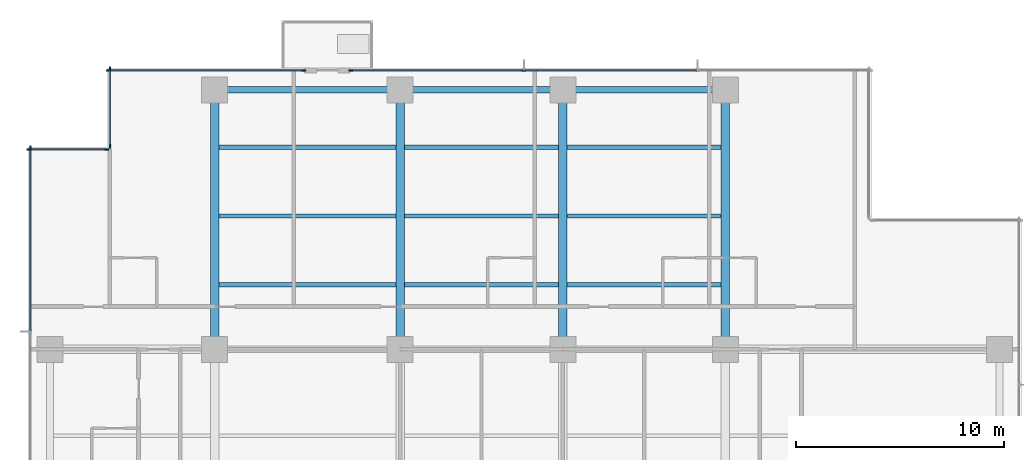
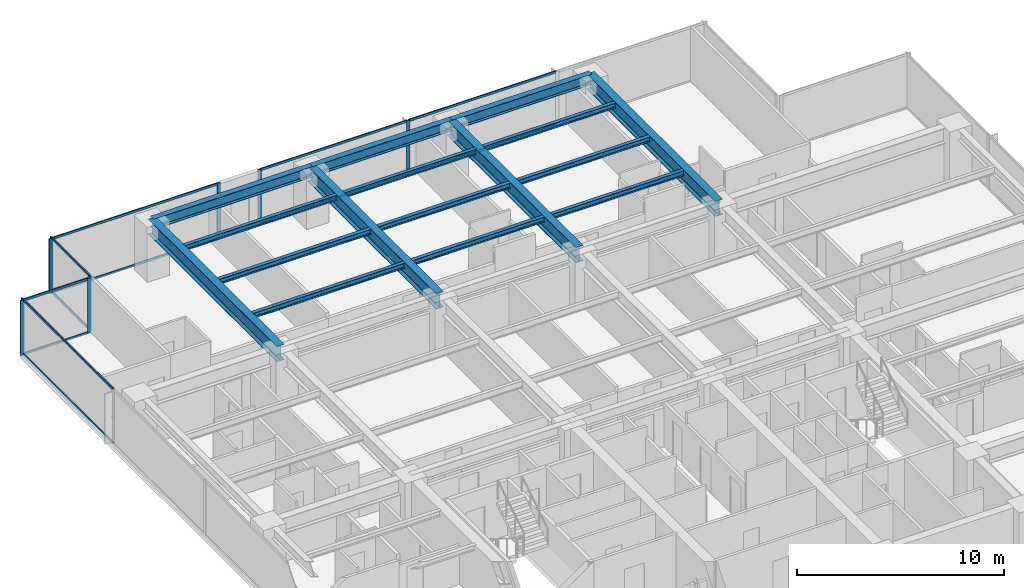
# One storey, part 5 of 17: 21 members, 16 beams, 5 elements without a shape of their own.
"""IFC4 building model written with IfcOpenShell, lengths in metres."""

from ifc_helpers import new_model, si_unit, direction, frame, origin, origin_2d, place, context, subcontext, project, spatial, rectangle, i_section, extrude, material, layer, layer_set, material_profile, profile_set, type_object, element, aggregate, save


model = new_model("IFC4")

# Units and contexts
model_context = context("Model", 3, precision=1e-05, world=origin(), true_north=direction((0.0, 1.0)))
body_context = subcontext(model_context, "Body", "Model", "MODEL_VIEW")
ifc_project = project(units=[si_unit("LENGTHUNIT", "METRE"), si_unit("AREAUNIT", "SQUARE_METRE"), si_unit("VOLUMEUNIT", "CUBIC_METRE"), si_unit("PLANEANGLEUNIT", "RADIAN"), si_unit("MASSUNIT", "GRAM", prefix="KILO")], contexts=[model_context])

# Site, building, storey
site_placement = place(None, origin())
site = spatial("IfcSite", under=ifc_project, at=site_placement, CompositionType="ELEMENT")
building_placement = place(site_placement, origin())
building = spatial("IfcBuilding", under=site, at=building_placement, Name="Qalmaran Belvedere Hotel", CompositionType="ELEMENT")
storey_placement = place(building_placement, frame((0.0, 0.0, 91.699951171875)))
storey = spatial("IfcBuildingStorey", under=building, at=storey_placement, Name="L22", CompositionType="ELEMENT", Elevation=91.699951171875)

# Beams
ifc_material_1 = material(Name="Steel S355JR", Category="steel")
ifc_material_profile_1 = material_profile(ifc_material_1, i_section(OverallWidth=0.202880859375, OverallDepth=0.302978515625, WebThickness=0.007568359375, FlangeThickness=0.01318359375, FilletRadius=0.012939453125, at=origin_2d()), Name="W310X60")
ifc_profile_set_1 = profile_set([ifc_material_profile_1], Name="Steel S355JR")
beam_type_1 = type_object("IfcBeamType", Name="BM-JST-W310X60", PredefinedType="JOIST", material=ifc_profile_set_1)
beam_1_placement = place(storey_placement, frame((20.507080078125, 36.10009765625, 3.088623046875), z_axis=(1.0, 0.0, 0.0), x_axis=(0.0, 1.0, 0.0)))
element("IfcBeam", 1, at=beam_1_placement, inside=storey, type_object=beam_type_1, Name="L22 North Floor Joist 042", PredefinedType="JOIST", context=body_context, shape_type="SweptSolid", body=[
    extrude(i_section(OverallWidth=0.202880859375, OverallDepth=0.302978515625, WebThickness=0.007568359375, FlangeThickness=0.01318359375, FilletRadius=0.012939453125, at=origin_2d()), origin(), (0.0, 0.0, 1.0), 8.48583984375),
])
for number, where, z_axis, x_axis, name in (
    (2, (29.406982421875, 36.10009765625, 3.088623046875), (1.0, 0.0, 0.0), (0.0, 1.0, 0.0), "L22 North Floor Joist 043"),
    (3, (37.20703125, 36.10009765625, 3.088623046875), (1.0, 0.0, 0.0), (0.0, 1.0, 0.0), "L22 North Floor Joist 044"),
):
    element("IfcBeam", number, at=place(storey_placement, frame(where, z_axis=z_axis, x_axis=x_axis)), inside=storey, type_object=beam_type_1, Name=name, PredefinedType="JOIST", context=body_context, shape_type="SweptSolid", body=[
        extrude(i_section(OverallWidth=0.202880859375, OverallDepth=0.302978515625, WebThickness=0.007568359375, FlangeThickness=0.01318359375, FilletRadius=0.012939453125, at=origin_2d()), origin(), (0.0, 0.0, 1.0), 7.385986328125),
    ])
beam_2_placement = place(storey_placement, frame((20.507080078125, 39.39990234375, 3.088623046875), z_axis=(1.0, 0.0, 0.0), x_axis=(0.0, 1.0, 0.0)))
element("IfcBeam", 4, at=beam_2_placement, inside=storey, type_object=beam_type_1, Name="L22 North Floor Joist 045", PredefinedType="JOIST", context=body_context, shape_type="SweptSolid", body=[
    extrude(i_section(OverallWidth=0.202880859375, OverallDepth=0.302978515625, WebThickness=0.007568359375, FlangeThickness=0.01318359375, FilletRadius=0.012939453125, at=origin_2d()), origin(), (0.0, 0.0, 1.0), 8.48583984375),
])
for number, where, z_axis, x_axis, name in (
    (5, (29.406982421875, 39.39990234375, 3.088623046875), (1.0, 0.0, 0.0), (0.0, 1.0, 0.0), "L22 North Floor Joist 046"),
    (6, (37.20703125, 39.39990234375, 3.088623046875), (1.0, 0.0, 0.0), (0.0, 1.0, 0.0), "L22 North Floor Joist 047"),
):
    element("IfcBeam", number, at=place(storey_placement, frame(where, z_axis=z_axis, x_axis=x_axis)), inside=storey, type_object=beam_type_1, Name=name, PredefinedType="JOIST", context=body_context, shape_type="SweptSolid", body=[
        extrude(i_section(OverallWidth=0.202880859375, OverallDepth=0.302978515625, WebThickness=0.007568359375, FlangeThickness=0.01318359375, FilletRadius=0.012939453125, at=origin_2d()), origin(), (0.0, 0.0, 1.0), 7.385986328125),
    ])
beam_3_placement = place(storey_placement, frame((20.507080078125, 42.699951171875, 3.088623046875), z_axis=(1.0, 0.0, 0.0), x_axis=(0.0, 1.0, 0.0)))
element("IfcBeam", 7, at=beam_3_placement, inside=storey, type_object=beam_type_1, Name="L22 North Floor Joist 048", PredefinedType="JOIST", context=body_context, shape_type="SweptSolid", body=[
    extrude(i_section(OverallWidth=0.202880859375, OverallDepth=0.302978515625, WebThickness=0.007568359375, FlangeThickness=0.01318359375, FilletRadius=0.012939453125, at=origin_2d()), origin(), (0.0, 0.0, 1.0), 8.48583984375),
])
for number, where, z_axis, x_axis, name in (
    (8, (29.406982421875, 42.699951171875, 3.088623046875), (1.0, 0.0, 0.0), (0.0, 1.0, 0.0), "L22 North Floor Joist 049"),
    (9, (37.20703125, 42.699951171875, 3.088623046875), (1.0, 0.0, 0.0), (0.0, 1.0, 0.0), "L22 North Floor Joist 050"),
):
    element("IfcBeam", number, at=place(storey_placement, frame(where, z_axis=z_axis, x_axis=x_axis)), inside=storey, type_object=beam_type_1, Name=name, PredefinedType="JOIST", context=body_context, shape_type="SweptSolid", body=[
        extrude(i_section(OverallWidth=0.202880859375, OverallDepth=0.302978515625, WebThickness=0.007568359375, FlangeThickness=0.01318359375, FilletRadius=0.012939453125, at=origin_2d()), origin(), (0.0, 0.0, 1.0), 7.385986328125),
    ])
ifc_material_profile_2 = material_profile(ifc_material_1, i_section(OverallWidth=0.41796875, OverallDepth=0.912109375, WebThickness=0.019287109375, FlangeThickness=0.031982421875, FilletRadius=0.02392578125, at=origin_2d()), Name="W920X342")
ifc_profile_set_2 = profile_set([ifc_material_profile_2], Name="Steel S355JR")
beam_type_2 = type_object("IfcBeamType", Name="BM-PG2-W920X342", PredefinedType="USERDEFINED", material=ifc_profile_set_2)
for number, where, z_axis, x_axis, name in (
    (10, (20.300048828125, 33.0, 2.783935546875), (0.0, 1.0, 0.0), (-1.0, 0.0, 0.0), "L22 North Bay Girder 15"),
    (11, (29.199951171875, 33.0, 2.783935546875), (0.0, 1.0, 0.0), (-1.0, 0.0, 0.0), "L22 North Bay Girder 17"),
    (12, (37.0, 33.0, 2.783935546875), (0.0, 1.0, 0.0), (-1.0, 0.0, 0.0), "L22 North Bay Girder 19"),
    (13, (44.800048828125, 33.0, 2.783935546875), (0.0, 1.0, 0.0), (-1.0, 0.0, 0.0), "L22 North Bay Girder 21"),
):
    element("IfcBeam", number, at=place(storey_placement, frame(where, z_axis=z_axis, x_axis=x_axis)), inside=storey, type_object=beam_type_2, Name=name, ObjectType="GIRDER", PredefinedType="USERDEFINED", context=body_context, shape_type="SweptSolid", body=[
        extrude(i_section(OverallWidth=0.41796875, OverallDepth=0.912109375, WebThickness=0.019287109375, FlangeThickness=0.031982421875, FilletRadius=0.02392578125, at=origin_2d()), origin(), (0.0, 0.0, 1.0), 12.449951171875),
    ])
ifc_material_profile_3 = material_profile(ifc_material_1, i_section(OverallWidth=0.326904296875, OverallDepth=0.6220703125, WebThickness=0.015380859375, FlangeThickness=0.0244140625, FilletRadius=0.02001953125, at=origin_2d()), Name="W610X195")
ifc_profile_set_3 = profile_set([ifc_material_profile_3], Name="Steel S355JR")
beam_type_3 = type_object("IfcBeamType", Name="BM-SP1-W610X195", PredefinedType="SPANDREL", material=ifc_profile_set_3)
beam_4_placement = place(storey_placement, frame((20.300048828125, 45.449951171875, 2.928955078125), z_axis=(1.0, 0.0, 0.0), x_axis=(0.0, 1.0, 0.0)))
element("IfcBeam", 14, at=beam_4_placement, inside=storey, type_object=beam_type_3, Name="L22 Perimeter Spandrel 05", PredefinedType="SPANDREL", context=body_context, shape_type="SweptSolid", body=[
    extrude(i_section(OverallWidth=0.326904296875, OverallDepth=0.6220703125, WebThickness=0.015380859375, FlangeThickness=0.0244140625, FilletRadius=0.02001953125, at=origin_2d()), origin(), (0.0, 0.0, 1.0), 8.89990234375),
])
for number, where, z_axis, x_axis, name in (
    (15, (29.199951171875, 45.449951171875, 2.928955078125), (1.0, 0.0, 0.0), (0.0, 1.0, 0.0), "L22 Perimeter Spandrel 06"),
    (16, (37.0, 45.449951171875, 2.928955078125), (1.0, 0.0, 0.0), (0.0, 1.0, 0.0), "L22 Perimeter Spandrel 07"),
):
    element("IfcBeam", number, at=place(storey_placement, frame(where, z_axis=z_axis, x_axis=x_axis)), inside=storey, type_object=beam_type_3, Name=name, PredefinedType="SPANDREL", context=body_context, shape_type="SweptSolid", body=[
        extrude(i_section(OverallWidth=0.326904296875, OverallDepth=0.6220703125, WebThickness=0.015380859375, FlangeThickness=0.0244140625, FilletRadius=0.02001953125, at=origin_2d()), origin(), (0.0, 0.0, 1.0), 7.800048828125),
    ])

# Curtain wall, members
ifc_material_2 = material(Name="Anodised Bronze Aluminium", Category="aluminium")
ifc_layer = layer(ifc_material_2, 0.199951171875, Name="Anodised Bronze Aluminium")
ifc_layer_set = layer_set([ifc_layer], Name="Anodised Bronze Aluminium")
curtain_wall_type = type_object("IfcCurtainWallType", Name="CW3-TOWER-LOWMID", PredefinedType="NOTDEFINED", material=ifc_layer_set)
curtain_wall_1_placement = place(storey_placement, origin())
curtain_wall_1 = element("IfcCurtainWall", 17, at=curtain_wall_1_placement, inside=storey, type_object=curtain_wall_type, Name="L22 Curtain Wall CW3", PredefinedType="NOTDEFINED")
ifc_material_profile_4 = material_profile(ifc_material_2, rectangle(XDim=0.070068359375, YDim=0.18994140625, at=origin_2d()), Name="CWM70X190")
ifc_profile_set_4 = profile_set([ifc_material_profile_4], Name="Anodised Bronze Aluminium")
member_type_1 = type_object("IfcMemberType", Name="CWM-70X190", PredefinedType="MULLION", material=ifc_profile_set_4)
member_1_placement = place(storey_placement, frame((24.56494140625, 46.3798828125, 0.0), z_axis=(0.0, 0.0, 1.0), x_axis=(0.0, -1.0, 0.0)))
member_1 = element("IfcMember", 18, at=member_1_placement, type_object=member_type_1, Name="CW3 mullion 1", PredefinedType="MULLION", context=body_context, shape_type="SweptSolid", body=[
    extrude(rectangle(XDim=0.070068359375, YDim=0.18994140625, at=origin_2d()), origin(), (0.0, 0.0, 1.0), 3.239990234375),
])
member_2_placement = place(storey_placement, frame((15.18505859375, 46.3798828125, 0.0), z_axis=(0.0, 0.0, 1.0), x_axis=(0.0, -1.0, 0.0)))
member_2 = element("IfcMember", 19, at=member_2_placement, type_object=member_type_1, Name="CW3 mullion 2", PredefinedType="MULLION", context=body_context, shape_type="SweptSolid", body=[
    extrude(rectangle(XDim=0.070068359375, YDim=0.18994140625, at=origin_2d()), origin(), (0.0, 0.0, 1.0), 3.239990234375),
])

curtain_wall_2_placement = place(storey_placement, origin())
curtain_wall_2 = element("IfcCurtainWall", 20, at=curtain_wall_2_placement, inside=storey, type_object=curtain_wall_type, Name="L22 Curtain Wall CW3", PredefinedType="NOTDEFINED")
member_3_placement = place(storey_placement, frame((35.13330078125, 46.3798828125, 0.0), z_axis=(0.0, 0.0, 1.0), x_axis=(0.0, -1.0, 0.0)))
member_3 = element("IfcMember", 21, at=member_3_placement, type_object=member_type_1, Name="CW3 mullion 3", PredefinedType="MULLION", context=body_context, shape_type="SweptSolid", body=[
    extrude(rectangle(XDim=0.070068359375, YDim=0.18994140625, at=origin_2d()), origin(), (0.0, 0.0, 1.0), 3.239990234375),
])
member_4_placement = place(storey_placement, frame((26.8349609375, 46.3798828125, 0.0), z_axis=(0.0, 0.0, 1.0), x_axis=(0.0, -1.0, 0.0)))
member_4 = element("IfcMember", 22, at=member_4_placement, type_object=member_type_1, Name="CW3 mullion 4", PredefinedType="MULLION", context=body_context, shape_type="SweptSolid", body=[
    extrude(rectangle(XDim=0.070068359375, YDim=0.18994140625, at=origin_2d()), origin(), (0.0, 0.0, 1.0), 3.239990234375),
])

curtain_wall_3_placement = place(storey_placement, origin())
curtain_wall_3 = element("IfcCurtainWall", 23, at=curtain_wall_3_placement, inside=storey, type_object=curtain_wall_type, Name="L22 Curtain Wall CW3", PredefinedType="NOTDEFINED")
member_5_placement = place(storey_placement, frame((15.27001953125, 46.465087890625, 0.0), z_axis=(0.0, 0.0, 1.0), x_axis=(1.0, 0.0, 0.0)))
member_5 = element("IfcMember", 24, at=member_5_placement, type_object=member_type_1, Name="CW3 mullion 1", PredefinedType="MULLION", context=body_context, shape_type="SweptSolid", body=[
    extrude(rectangle(XDim=0.070068359375, YDim=0.18994140625, at=origin_2d()), origin(), (0.0, 0.0, 1.0), 3.239990234375),
])
member_6_placement = place(storey_placement, frame((15.27001953125, 42.735107421875, 0.0), z_axis=(0.0, 0.0, 1.0), x_axis=(1.0, 0.0, 0.0)))
member_6 = element("IfcMember", 25, at=member_6_placement, type_object=member_type_1, Name="CW3 mullion 2", PredefinedType="MULLION", context=body_context, shape_type="SweptSolid", body=[
    extrude(rectangle(XDim=0.070068359375, YDim=0.18994140625, at=origin_2d()), origin(), (0.0, 0.0, 1.0), 3.239990234375),
])

curtain_wall_4_placement = place(storey_placement, origin())
curtain_wall_4 = element("IfcCurtainWall", 26, at=curtain_wall_4_placement, inside=storey, type_object=curtain_wall_type, Name="L22 Curtain Wall CW3", PredefinedType="NOTDEFINED")
member_7_placement = place(storey_placement, frame((15.114990234375, 42.580078125, 0.0), z_axis=(0.0, 0.0, 1.0), x_axis=(0.0, -1.0, 0.0)))
member_7 = element("IfcMember", 27, at=member_7_placement, type_object=member_type_1, Name="CW3 mullion 1", PredefinedType="MULLION", context=body_context, shape_type="SweptSolid", body=[
    extrude(rectangle(XDim=0.070068359375, YDim=0.18994140625, at=origin_2d()), origin(), (0.0, 0.0, 1.0), 3.239990234375),
])
member_8_placement = place(storey_placement, frame((11.385009765625, 42.580078125, 0.0), z_axis=(0.0, 0.0, 1.0), x_axis=(0.0, -1.0, 0.0)))
member_8 = element("IfcMember", 28, at=member_8_placement, type_object=member_type_1, Name="CW3 mullion 2", PredefinedType="MULLION", context=body_context, shape_type="SweptSolid", body=[
    extrude(rectangle(XDim=0.070068359375, YDim=0.18994140625, at=origin_2d()), origin(), (0.0, 0.0, 1.0), 3.239990234375),
])

# Curtain wall, member
curtain_wall_5_placement = place(storey_placement, origin())
curtain_wall_5 = element("IfcCurtainWall", 29, at=curtain_wall_5_placement, inside=storey, type_object=curtain_wall_type, Name="L22 Curtain Wall CW3", PredefinedType="NOTDEFINED")
member_9_placement = place(storey_placement, frame((11.469970703125, 42.6650390625, 0.0), z_axis=(0.0, 0.0, 1.0), x_axis=(1.0, 0.0, 0.0)))
member_9 = element("IfcMember", 30, at=member_9_placement, type_object=member_type_1, Name="CW3 mullion 1", PredefinedType="MULLION", context=body_context, shape_type="SweptSolid", body=[
    extrude(rectangle(XDim=0.070068359375, YDim=0.18994140625, at=origin_2d()), origin(), (0.0, 0.0, 1.0), 3.239990234375),
])

# Member
ifc_material_profile_5 = material_profile(ifc_material_2, rectangle(XDim=0.06494140625, YDim=0.1298828125, at=origin_2d()), Name="CWT65X130")
ifc_profile_set_5 = profile_set([ifc_material_profile_5], Name="Anodised Bronze Aluminium")
member_type_2 = type_object("IfcMemberType", Name="CWT-65X130", PredefinedType="USERDEFINED", material=ifc_profile_set_5)
member_10_placement = place(storey_placement, frame((24.530029296875, 46.3798828125, 0.032470703125), z_axis=(-1.0, 0.0, 0.0), x_axis=(0.0, -1.0, 0.0)))
member_10 = element("IfcMember", 31, at=member_10_placement, type_object=member_type_2, Name="CW3 transom 1.1", ObjectType="TRANSOM", PredefinedType="USERDEFINED", context=body_context, shape_type="SweptSolid", body=[
    extrude(rectangle(XDim=0.06494140625, YDim=0.1298828125, at=origin_2d()), origin(), (0.0, 0.0, 1.0), 9.31005859375),
])

member_11_placement = place(storey_placement, frame((24.530029296875, 46.3798828125, 3.20751953125), z_axis=(-1.0, 0.0, 0.0), x_axis=(0.0, -1.0, 0.0)))
member_11 = element("IfcMember", 32, at=member_11_placement, type_object=member_type_2, Name="CW3 transom 1.2", ObjectType="TRANSOM", PredefinedType="USERDEFINED", context=body_context, shape_type="SweptSolid", body=[
    extrude(rectangle(XDim=0.06494140625, YDim=0.1298828125, at=origin_2d()), origin(), (0.0, 0.0, 1.0), 9.31005859375),
])

aggregate(curtain_wall_1, [member_1, member_2, member_10, member_11])

member_12_placement = place(storey_placement, frame((43.431640625, 46.3798828125, 0.032470703125), z_axis=(-1.0, 0.0, 0.0), x_axis=(0.0, -1.0, 0.0)))
member_12 = element("IfcMember", 33, at=member_12_placement, type_object=member_type_2, Name="CW3 transom 2.1", ObjectType="TRANSOM", PredefinedType="USERDEFINED", context=body_context, shape_type="SweptSolid", body=[
    extrude(rectangle(XDim=0.06494140625, YDim=0.1298828125, at=origin_2d()), origin(), (0.0, 0.0, 1.0), 8.263427734375),
])

member_13_placement = place(storey_placement, frame((43.431640625, 46.3798828125, 3.20751953125), z_axis=(-1.0, 0.0, 0.0), x_axis=(0.0, -1.0, 0.0)))
member_13 = element("IfcMember", 34, at=member_13_placement, type_object=member_type_2, Name="CW3 transom 2.2", ObjectType="TRANSOM", PredefinedType="USERDEFINED", context=body_context, shape_type="SweptSolid", body=[
    extrude(rectangle(XDim=0.06494140625, YDim=0.1298828125, at=origin_2d()), origin(), (0.0, 0.0, 1.0), 8.263427734375),
])

member_14_placement = place(storey_placement, frame((35.098388671875, 46.3798828125, 0.032470703125), z_axis=(-1.0, 0.0, 0.0), x_axis=(0.0, -1.0, 0.0)))
member_14 = element("IfcMember", 35, at=member_14_placement, type_object=member_type_2, Name="CW3 transom 3.1", ObjectType="TRANSOM", PredefinedType="USERDEFINED", context=body_context, shape_type="SweptSolid", body=[
    extrude(rectangle(XDim=0.06494140625, YDim=0.1298828125, at=origin_2d()), origin(), (0.0, 0.0, 1.0), 8.228271484375),
])

member_15_placement = place(storey_placement, frame((35.098388671875, 46.3798828125, 3.20751953125), z_axis=(-1.0, 0.0, 0.0), x_axis=(0.0, -1.0, 0.0)))
member_15 = element("IfcMember", 36, at=member_15_placement, type_object=member_type_2, Name="CW3 transom 3.2", ObjectType="TRANSOM", PredefinedType="USERDEFINED", context=body_context, shape_type="SweptSolid", body=[
    extrude(rectangle(XDim=0.06494140625, YDim=0.1298828125, at=origin_2d()), origin(), (0.0, 0.0, 1.0), 8.228271484375),
])

aggregate(curtain_wall_2, [member_3, member_4, member_12, member_13, member_14, member_15])

member_16_placement = place(storey_placement, frame((15.27001953125, 46.429931640625, 0.032470703125), z_axis=(0.0, -1.0, 0.0), x_axis=(1.0, 0.0, 0.0)))
member_16 = element("IfcMember", 37, at=member_16_placement, type_object=member_type_2, Name="CW3 transom 1.1", ObjectType="TRANSOM", PredefinedType="USERDEFINED", context=body_context, shape_type="SweptSolid", body=[
    extrude(rectangle(XDim=0.06494140625, YDim=0.1298828125, at=origin_2d()), origin(), (0.0, 0.0, 1.0), 3.659912109375),
])

member_17_placement = place(storey_placement, frame((15.27001953125, 46.429931640625, 3.20751953125), z_axis=(0.0, -1.0, 0.0), x_axis=(1.0, 0.0, 0.0)))
member_17 = element("IfcMember", 38, at=member_17_placement, type_object=member_type_2, Name="CW3 transom 1.2", ObjectType="TRANSOM", PredefinedType="USERDEFINED", context=body_context, shape_type="SweptSolid", body=[
    extrude(rectangle(XDim=0.06494140625, YDim=0.1298828125, at=origin_2d()), origin(), (0.0, 0.0, 1.0), 3.659912109375),
])

aggregate(curtain_wall_3, [member_5, member_6, member_16, member_17])

member_18_placement = place(storey_placement, frame((15.080078125, 42.580078125, 0.032470703125), z_axis=(-1.0, 0.0, 0.0), x_axis=(0.0, -1.0, 0.0)))
member_18 = element("IfcMember", 39, at=member_18_placement, type_object=member_type_2, Name="CW3 transom 1.1", ObjectType="TRANSOM", PredefinedType="USERDEFINED", context=body_context, shape_type="SweptSolid", body=[
    extrude(rectangle(XDim=0.06494140625, YDim=0.1298828125, at=origin_2d()), origin(), (0.0, 0.0, 1.0), 3.66015625),
])

member_19_placement = place(storey_placement, frame((15.080078125, 42.580078125, 3.20751953125), z_axis=(-1.0, 0.0, 0.0), x_axis=(0.0, -1.0, 0.0)))
member_19 = element("IfcMember", 40, at=member_19_placement, type_object=member_type_2, Name="CW3 transom 1.2", ObjectType="TRANSOM", PredefinedType="USERDEFINED", context=body_context, shape_type="SweptSolid", body=[
    extrude(rectangle(XDim=0.06494140625, YDim=0.1298828125, at=origin_2d()), origin(), (0.0, 0.0, 1.0), 3.66015625),
])

aggregate(curtain_wall_4, [member_7, member_8, member_18, member_19])

member_20_placement = place(storey_placement, frame((11.469970703125, 42.6298828125, 0.032470703125), z_axis=(0.0, -1.0, 0.0), x_axis=(1.0, 0.0, 0.0)))
member_20 = element("IfcMember", 41, at=member_20_placement, type_object=member_type_2, Name="CW3 transom 1.1", ObjectType="TRANSOM", PredefinedType="USERDEFINED", context=body_context, shape_type="SweptSolid", body=[
    extrude(rectangle(XDim=0.06494140625, YDim=0.1298828125, at=origin_2d()), origin(), (0.0, 0.0, 1.0), 8.744873046875),
])

member_21_placement = place(storey_placement, frame((11.469970703125, 42.6298828125, 3.20751953125), z_axis=(0.0, -1.0, 0.0), x_axis=(1.0, 0.0, 0.0)))
member_21 = element("IfcMember", 42, at=member_21_placement, type_object=member_type_2, Name="CW3 transom 1.2", ObjectType="TRANSOM", PredefinedType="USERDEFINED", context=body_context, shape_type="SweptSolid", body=[
    extrude(rectangle(XDim=0.06494140625, YDim=0.1298828125, at=origin_2d()), origin(), (0.0, 0.0, 1.0), 8.744873046875),
])

aggregate(curtain_wall_5, [member_9, member_20, member_21])

save(model, "model.ifc")
